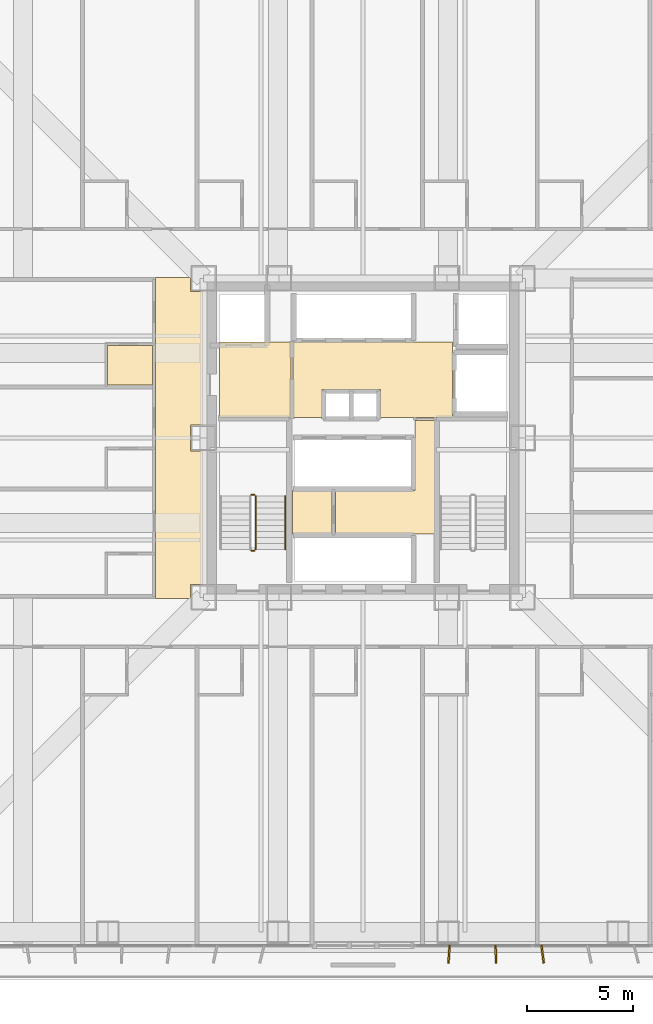
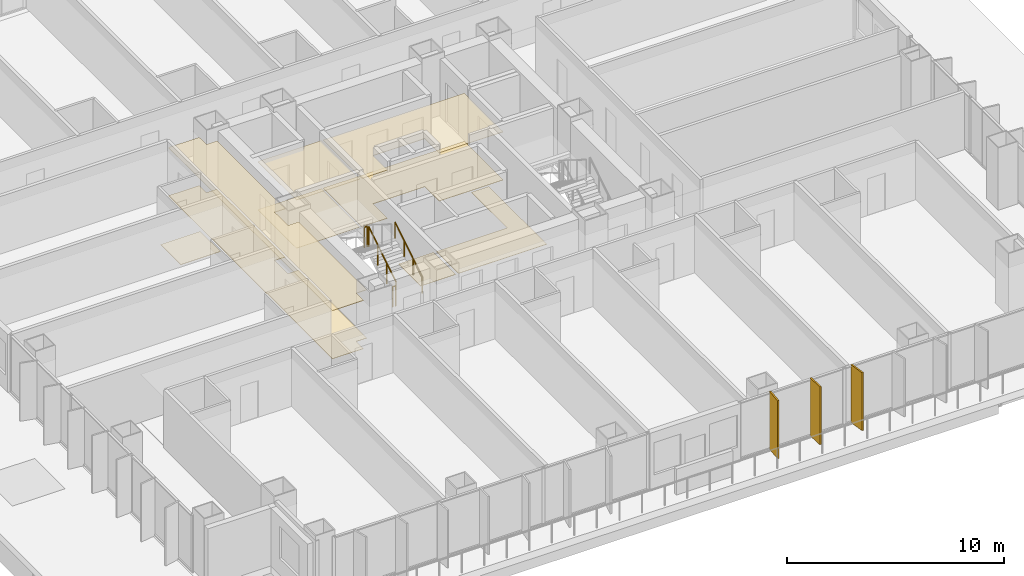
# One storey, part 21 of 24: 9 coverings, 4 railings, 3 shading devices.
"""IFC4 building model written with IfcOpenShell, lengths in metres."""

import ifcopenshell
import ifcopenshell.guid

model = None  # the IFC model being written
_history = None  # IfcOwnerHistory: only IFC2X3 demands one
_inside = {}  # id of a spatial element -> (the spatial element, [elements in it])
_under = {}  # id of a project, library or spatial element -> (it, [spatial elements below it])
_declared = {}  # id of a project -> (the project, [libraries it declares])
_typed = {}  # id of a type object -> (the type object, [elements of that type])
_made_of = {}  # id of a material, layer set ... -> (it, [elements and type objects made of it])


def new_model(schema):
    """Start an empty IFC model of exactly this schema.

    Asked for "IFC4X3", IfcOpenShell would pick the latest addendum, in which some entities
    have other attributes; the version numbers below select the first issue.
    IFC2X3 requires an IfcOwnerHistory on every rooted entity: one is made here for all.
    """
    global model, _history
    if schema == "IFC4X3":
        model = ifcopenshell.file(schema_version=(4, 3, 0, 0))
    else:
        model = ifcopenshell.file(schema=schema)
    _inside.clear()
    _under.clear()
    _declared.clear()
    _typed.clear()
    _made_of.clear()
    _history = None
    if model.schema == "IFC2X3":
        org = make("IfcOrganization", Name="unknown")
        user = make(
            "IfcPersonAndOrganization",
            ThePerson=make("IfcPerson", FamilyName="unknown"),
            TheOrganization=org,
        )
        app = make(
            "IfcApplication",
            ApplicationDeveloper=org,
            Version="unknown",
            ApplicationFullName="unknown",
            ApplicationIdentifier="unknown",
        )
        _history = make(
            "IfcOwnerHistory",
            OwningUser=user,
            OwningApplication=app,
            ChangeAction="ADDED",
            CreationDate=0,
        )
    return model


def make(cls, **values):
    """One entity of the class cls with the attributes given. An attribute that is None is left unset."""
    return model.create_entity(
        cls, **{name: value for name, value in values.items() if value is not None}
    )


def rooted(cls, **values):
    """An entity with a GlobalId (a new one), such as an element, a storey or a relation."""
    return make(cls, GlobalId=ifcopenshell.guid.new(), OwnerHistory=_history, **values)


def si_unit(unit_type, name, prefix=None):
    """IfcSIUnit, for example si_unit("LENGTHUNIT", "METRE", prefix="MILLI")."""
    return make("IfcSIUnit", UnitType=unit_type, Prefix=prefix, Name=name)


def assignment(units):
    """IfcUnitAssignment: the units of a project."""
    return None if units is None else make("IfcUnitAssignment", Units=units)


def point(xyz):
    """IfcCartesianPoint."""
    return None if xyz is None else make("IfcCartesianPoint", Coordinates=xyz)


def direction(xyz):
    """IfcDirection."""
    return None if xyz is None else make("IfcDirection", DirectionRatios=xyz)


def frame(location, z_axis=None, x_axis=None):
    """IfcAxis2Placement3D, a coordinate frame: its origin and axes. An axis left out is left unset."""
    return make(
        "IfcAxis2Placement3D",
        Location=point(location),
        Axis=direction(z_axis),
        RefDirection=direction(x_axis),
    )


def frame_2d(location, x_axis=None):
    """IfcAxis2Placement2D, a coordinate frame in the plane: its origin and x axis."""
    return make(
        "IfcAxis2Placement2D", Location=point(location), RefDirection=direction(x_axis)
    )


def origin():
    """The frame at (0, 0, 0) with its axes left unset."""
    return frame((0.0, 0.0, 0.0))


def origin_2d():
    """The frame at (0, 0) in the plane with its x axis left unset."""
    return frame_2d((0.0, 0.0))


def place(relative_to, where):
    """IfcLocalPlacement: puts the frame where relative to a parent placement (None: the world)."""
    return make(
        "IfcLocalPlacement", PlacementRelTo=relative_to, RelativePlacement=where
    )


def context(
    kind, dimensions, precision=None, world=None, true_north=None, identifier=None
):
    """IfcGeometricRepresentationContext, for example the 3D "Model" context."""
    return make(
        "IfcGeometricRepresentationContext",
        ContextIdentifier=identifier,
        ContextType=kind,
        CoordinateSpaceDimension=dimensions,
        Precision=precision,
        WorldCoordinateSystem=world,
        TrueNorth=true_north,
    )


def subcontext(parent, identifier, kind, view, scale=None):
    """IfcGeometricRepresentationSubContext, for example "Body" below "Model"."""
    return make(
        "IfcGeometricRepresentationSubContext",
        ContextIdentifier=identifier,
        ContextType=kind,
        ParentContext=parent,
        TargetScale=scale,
        TargetView=view,
    )


def project(units=None, contexts=None):
    """IfcProject with its units and contexts."""
    return rooted(
        "IfcProject",
        Name="project",
        RepresentationContexts=contexts,
        UnitsInContext=assignment(units),
    )


def spatial(cls, under=None, at=None, **own):
    """A site, building, storey or space (cls), placed at a placement, below another one or the project."""
    s = rooted(cls, ObjectPlacement=at, **own)
    if under is not None:
        _under.setdefault(under.id(), (under, []))[1].append(s)
    return s


def polyline(points):
    """IfcPolyline through the points."""
    return make("IfcPolyline", Points=[point(p) for p in points])


def profile(cls, at=None, kind="AREA", **sizes):
    """A parametric profile (cls). Its sizes go by their IFC names, for example OverallWidth=200.0."""
    return make(cls, ProfileType=kind, Position=at, **sizes)


def rectangle(**sizes):
    """IfcRectangleProfileDef."""
    return profile("IfcRectangleProfileDef", **sizes)


def circle(**sizes):
    """IfcCircleProfileDef."""
    return profile("IfcCircleProfileDef", **sizes)


def outline(outer, holes=None, kind="AREA"):
    """IfcArbitraryClosedProfileDef: a profile drawn as a closed curve; with holes, ...WithVoids."""
    if holes is None:
        return make("IfcArbitraryClosedProfileDef", ProfileType=kind, OuterCurve=outer)
    return make(
        "IfcArbitraryProfileDefWithVoids",
        ProfileType=kind,
        OuterCurve=outer,
        InnerCurves=holes,
    )


def extrude(swept, where, along, depth):
    """IfcExtrudedAreaSolid: the profile swept, set in the frame where, extruded along a direction by depth."""
    return make(
        "IfcExtrudedAreaSolid",
        SweptArea=swept,
        Position=where,
        ExtrudedDirection=direction(along),
        Depth=depth,
    )


def shape(context_of_items, identifier, shape_type, items):
    """IfcShapeRepresentation: the items that make up one representation, for example the "Body"."""
    return make(
        "IfcShapeRepresentation",
        ContextOfItems=context_of_items,
        RepresentationIdentifier=identifier,
        RepresentationType=shape_type,
        Items=items,
    )


def material(Name=None, Category=None):
    """IfcMaterial."""
    return make("IfcMaterial", Name=Name, Category=Category)


def layer(
    of_material, thickness, ventilated=None, Name=None, Category=None, Priority=None
):
    """IfcMaterialLayer: one layer of a wall or slab, of a material (None: an air gap)."""
    return make(
        "IfcMaterialLayer",
        Material=of_material,
        LayerThickness=thickness,
        IsVentilated=ventilated,
        Name=Name,
        Category=Category,
        Priority=Priority,
    )


def layer_set(layers, Name=None):
    """IfcMaterialLayerSet."""
    return make("IfcMaterialLayerSet", MaterialLayers=layers, LayerSetName=Name)


def made_of(thing, what):
    """Note that an element or type object is made of a material, layer set ...; save() writes the relation."""
    if what is not None:
        _made_of.setdefault(what.id(), (what, []))[1].append(thing)
    return thing


def type_object(cls, material=None, **own):
    """A type object (cls), such as IfcWallType, which elements share."""
    return made_of(rooted(cls, **own), material)


def element(
    cls,
    number,
    at=None,
    inside=None,
    cuts=None,
    type_object=None,
    material=None,
    context=None,
    identifier="Body",
    shape_type=None,
    held_by="IfcProductDefinitionShape",
    body=None,
    shapes=None,
    **own,
):
    """One element of the class cls, such as IfcWall. Its Tag is "e" and its number.

    at: its placement. inside: the storey or other place that contains it. cuts: it is an
    opening in that element (IfcRelVoidsElement). A single representation is given by context,
    identifier, shape_type and body (its items); several are given by shapes. held_by: the class
    of the entity that holds the representations. save() writes the other relations.
    """
    e = rooted(cls, Tag="e%d" % number, ObjectPlacement=at, **own)
    if body is not None:
        shapes = [shape(context, identifier, shape_type, body)]
    if shapes is not None:
        e.Representation = make(held_by, Representations=shapes)
    if inside is not None:
        _inside.setdefault(inside.id(), (inside, []))[1].append(e)
    if cuts is not None:
        rooted(
            "IfcRelVoidsElement", RelatingBuildingElement=cuts, RelatedOpeningElement=e
        )
    if type_object is not None:
        _typed.setdefault(type_object.id(), (type_object, []))[1].append(e)
    return made_of(e, material)


def aggregate(whole, parts):
    """IfcRelAggregates: a whole, such as a stair, and the parts it consists of."""
    return rooted("IfcRelAggregates", RelatingObject=whole, RelatedObjects=parts)


def save(model, path):
    """Write the relations noted so far, then the file.

    IfcRelAggregates (storeys below a building ...), IfcRelContainedInSpatialStructure (elements
    in a storey), IfcRelDefinesByType, IfcRelAssociatesMaterial and IfcRelDeclares: one each for
    every whole, place, type object, material and project.
    """
    for whole, parts in _under.values():
        aggregate(whole, parts)
    for where, things in _inside.values():
        rooted(
            "IfcRelContainedInSpatialStructure",
            RelatedElements=things,
            RelatingStructure=where,
        )
    for kind, things in _typed.values():
        rooted("IfcRelDefinesByType", RelatedObjects=things, RelatingType=kind)
    for what, things in _made_of.values():
        rooted("IfcRelAssociatesMaterial", RelatedObjects=things, RelatingMaterial=what)
    for by, libraries in _declared.values():
        rooted("IfcRelDeclares", RelatingContext=by, RelatedDefinitions=libraries)
    model.write(path)


model = new_model("IFC4")

# Units and contexts
model_context = context("Model", 3, precision=1e-05, world=origin(), true_north=direction((0.0, 1.0)))
body_context = subcontext(model_context, "Body", "Model", "MODEL_VIEW")
ifc_project = project(units=[si_unit("LENGTHUNIT", "METRE"), si_unit("AREAUNIT", "SQUARE_METRE"), si_unit("VOLUMEUNIT", "CUBIC_METRE"), si_unit("PLANEANGLEUNIT", "RADIAN"), si_unit("MASSUNIT", "GRAM", prefix="KILO")], contexts=[model_context])

# Site, building, storey
site_placement = place(None, origin())
site = spatial("IfcSite", under=ifc_project, at=site_placement, CompositionType="ELEMENT")
building_placement = place(site_placement, origin())
building = spatial("IfcBuilding", under=site, at=building_placement, Name="Trevonay Congress Spire", CompositionType="ELEMENT")
storey_placement = place(building_placement, frame((0.0, 0.0, 27.0)))
storey = spatial("IfcBuildingStorey", under=building, at=storey_placement, Name="L05", CompositionType="ELEMENT", Elevation=27.0)

# Coverings
ifc_material_1 = material(Name="Acoustic Mineral Fibre Board", Category="gypsum")
ifc_layer_1 = layer(ifc_material_1, 0.02490234375, Name="Acoustic Mineral Fibre Board")
ifc_layer_set_1 = layer_set([ifc_layer_1], Name="Acoustic Mineral Fibre Board")
covering_type_1 = type_object("IfcCoveringType", Name="COV-CEIL-ACOUSTIC", PredefinedType="CEILING", material=ifc_layer_set_1)
covering_1_placement = place(storey_placement, frame((0.0, 0.0, 2.699951171875)))
element("IfcCovering", 1, at=covering_1_placement, inside=storey, type_object=covering_type_1, Name="L05 Firefighting Lift Lobby West acoustic suspended ceiling", PredefinedType="CEILING", context=body_context, shape_type="SweptSolid", body=[
    extrude(outline(polyline([(-6.75, 0.9599609375), (-3.3798828125, 0.9599609375), (-3.3798828125, 4.52001953125), (-6.75, 4.52001953125), (-6.75, 0.9599609375)])), origin(), (0.0, 0.0, 1.0), 0.025146484375),
])
covering_2_placement = place(storey_placement, frame((0.0, 0.0, 2.699951171875)))
element("IfcCovering", 2, at=covering_2_placement, inside=storey, type_object=covering_type_1, Name="L05 Central and High-Rise Passenger Lift Lobby acoustic suspended ceiling", PredefinedType="CEILING", context=body_context, shape_type="SweptSolid", body=[
    extrude(outline(polyline([(-3.280029296875, 0.949951171875), (-1.919921875, 0.949951171875), (-1.919921875, 2.280029296875), (0.820068359375, 2.280029296875), (0.820068359375, 0.949951171875), (4.219970703125, 0.949951171875), (4.219970703125, 4.52001953125), (-3.280029296875, 4.52001953125), (-3.280029296875, 0.949951171875)])), origin(), (0.0, 0.0, 1.0), 0.025146484375),
])
covering_3_placement = place(storey_placement, frame((0.0, 0.0, 2.699951171875)))
element("IfcCovering", 3, at=covering_3_placement, inside=storey, type_object=covering_type_1, Name="L05 Hotel Floor Corridor West acoustic suspended ceiling", PredefinedType="CEILING", context=body_context, shape_type="SweptSolid", body=[
    extrude(outline(polyline([(-9.75, 7.550048828125), (-8.110107421875, 7.550048828125), (-8.110107421875, 6.889892578125), (-7.550048828125, 6.889892578125), (-7.550048828125, 0.610107421875), (-8.110107421875, 0.610107421875), (-8.110107421875, -0.610107421875), (-7.550048828125, -0.610107421875), (-7.550048828125, -6.889892578125), (-8.110107421875, -6.889892578125), (-8.110107421875, -7.550048828125), (-9.75, -7.550048828125), (-9.75, 7.550048828125)])), origin(), (0.0, 0.0, 1.0), 0.025146484375),
])
ifc_material_2 = material(Name="Polished Granite Floor Tile", Category="masonry")
ifc_layer_2 = layer(ifc_material_2, 0.02001953125, Name="Polished Granite Floor Tile")
ifc_layer_set_2 = layer_set([ifc_layer_2], Name="Polished Granite Floor Tile")
covering_type_2 = type_object("IfcCoveringType", Name="COV-FLOOR-STONE", PredefinedType="FLOORING", material=ifc_layer_set_2)
covering_4_placement = place(storey_placement, origin())
element("IfcCovering", 4, at=covering_4_placement, inside=storey, type_object=covering_type_2, Name="L05 Firefighting Lift Lobby West floor finish", PredefinedType="FLOORING", context=body_context, shape_type="SweptSolid", body=[
    extrude(outline(polyline([(-6.75, 0.9599609375), (-3.3798828125, 0.9599609375), (-3.3798828125, 4.52001953125), (-6.75, 4.52001953125), (-6.75, 0.9599609375)])), origin(), (0.0, 0.0, 1.0), 0.02001953125),
])
covering_5_placement = place(storey_placement, origin())
element("IfcCovering", 5, at=covering_5_placement, inside=storey, type_object=covering_type_2, Name="L05 Central and High-Rise Passenger Lift Lobby floor finish", PredefinedType="FLOORING", context=body_context, shape_type="SweptSolid", body=[
    extrude(outline(polyline([(-3.280029296875, 0.949951171875), (-1.919921875, 0.949951171875), (-1.919921875, 2.280029296875), (0.820068359375, 2.280029296875), (0.820068359375, 0.949951171875), (4.219970703125, 0.949951171875), (4.219970703125, 4.52001953125), (-3.280029296875, 4.52001953125), (-3.280029296875, 0.949951171875)])), origin(), (0.0, 0.0, 1.0), 0.02001953125),
])
covering_6_placement = place(storey_placement, origin())
element("IfcCovering", 6, at=covering_6_placement, inside=storey, type_object=covering_type_2, Name="L05 Smoke Control Damper Room floor finish", PredefinedType="FLOORING", context=body_context, shape_type="SweptSolid", body=[
    extrude(outline(polyline([(-1.300048828125, -4.52001953125), (3.3798828125, -4.52001953125), (3.3798828125, 0.820068359375), (2.4599609375, 0.820068359375), (2.4599609375, -2.47998046875), (-1.300048828125, -2.47998046875), (-1.300048828125, -4.52001953125)])), origin(), (0.0, 0.0, 1.0), 0.02001953125),
])
covering_7_placement = place(storey_placement, origin())
element("IfcCovering", 7, at=covering_7_placement, inside=storey, type_object=covering_type_2, Name="L05 Fire Hose and Valve Room floor finish", PredefinedType="FLOORING", context=body_context, shape_type="SweptSolid", body=[
    extrude(outline(polyline([(-3.320068359375, -4.52001953125), (-1.4599609375, -4.52001953125), (-1.4599609375, -2.47998046875), (-3.320068359375, -2.47998046875), (-3.320068359375, -4.52001953125)])), origin(), (0.0, 0.0, 1.0), 0.02001953125),
])
covering_8_placement = place(storey_placement, origin())
element("IfcCovering", 8, at=covering_8_placement, inside=storey, type_object=covering_type_2, Name="L05 Hotel Floor Corridor West floor finish", PredefinedType="FLOORING", context=body_context, shape_type="SweptSolid", body=[
    extrude(outline(polyline([(-9.75, 7.550048828125), (-8.110107421875, 7.550048828125), (-8.110107421875, 6.889892578125), (-7.550048828125, 6.889892578125), (-7.550048828125, 0.610107421875), (-8.110107421875, 0.610107421875), (-8.110107421875, -0.610107421875), (-7.550048828125, -0.610107421875), (-7.550048828125, -6.889892578125), (-8.110107421875, -6.889892578125), (-8.110107421875, -7.550048828125), (-9.75, -7.550048828125), (-9.75, 7.550048828125)])), origin(), (0.0, 0.0, 1.0), 0.02001953125),
])
covering_9_placement = place(storey_placement, origin())
element("IfcCovering", 9, at=covering_9_placement, inside=storey, type_object=covering_type_2, Name="L05 En-suite Bathroom floor finish", PredefinedType="FLOORING", context=body_context, shape_type="SweptSolid", body=[
    extrude(outline(polyline([(-12.02001953125, 2.47998046875), (-9.909912109375, 2.47998046875), (-9.909912109375, 4.337890625), (-12.02001953125, 4.337890625), (-12.02001953125, 2.47998046875)])), origin(), (0.0, 0.0, 1.0), 0.02001953125),
])

# Railings
ifc_material_3 = material(Name="Pale Anodised Aluminium EN AW-6063-T6", Category="aluminium")
railing_type_1 = type_object("IfcRailingType", Name="RAL-STAIR-GUARD-110", PredefinedType="GUARDRAIL", material=ifc_material_3)
railing_1_placement = place(storey_placement, frame((-5.050048828125, -5.25, 0.175048828125)))
element("IfcRailing", 10, at=railing_1_placement, inside=storey, type_object=railing_type_1, Name="L05 ST-1 stair guard 1", PredefinedType="GUARDRAIL", context=body_context, shape_type="SweptSolid", body=[
    extrude(circle(Radius=0.02392578125, at=origin_2d()), frame((0.0, 0.0, 1.1259765625), z_axis=(0.0, 0.848007534815, 0.529984170421), x_axis=(-1.0, 0.0, 0.0)), (0.0, 0.0, 1.0), 2.9716796875),
    extrude(circle(Radius=0.02099609375, at=origin_2d()), origin(), (0.0, 0.0, 1.0), 1.101806640625),
    extrude(circle(Radius=0.02099609375, at=origin_2d()), frame((0.0, 0.840087890625, 0.52490234375)), (0.0, 0.0, 1.0), 1.101806640625),
    extrude(circle(Radius=0.02099609375, at=origin_2d()), frame((0.0, 1.679931640625, 1.050048828125)), (0.0, 0.0, 1.0), 1.101806640625),
    extrude(circle(Radius=0.02099609375, at=origin_2d()), frame((0.0, 2.52001953125, 1.574951171875)), (0.0, 0.0, 1.0), 1.101806640625),
])
for number, where, name in (
    (11, (-5.10009765625, -2.679931640625, 1.75), "L05 ST-1 stair guard 2"),
    (12, (-5.10009765625, -5.300048828125, 0.0), "L05 ST-1 stair guard 4"),
):
    element("IfcRailing", number, at=place(storey_placement, frame(where)), inside=storey, type_object=railing_type_1, Name=name, PredefinedType="GUARDRAIL", context=body_context, shape_type="SweptSolid", body=[
        extrude(circle(Radius=0.02392578125, at=origin_2d()), frame((0.0, 0.0, 1.1259765625), z_axis=(-1.0, 0.0, 0.0), x_axis=(0.0, -1.0, 0.0)), (0.0, 0.0, 1.0), 0.14990234375),
        extrude(circle(Radius=0.02099609375, at=origin_2d()), origin(), (0.0, 0.0, 1.0), 1.101806640625),
        extrude(circle(Radius=0.02099609375, at=origin_2d()), frame((-0.14990234375, 0.0, 0.0)), (0.0, 0.0, 1.0), 1.101806640625),
    ])
railing_type_2 = type_object("IfcRailingType", Name="RAL-STAIR-HANDRAIL", PredefinedType="HANDRAIL", material=ifc_material_3)
railing_2_placement = place(storey_placement, frame((-3.64990234375, -5.25, 0.175048828125)))
element("IfcRailing", 13, at=railing_2_placement, inside=storey, type_object=railing_type_2, Name="L05 ST-1 stair handrail 1", PredefinedType="HANDRAIL", context=body_context, shape_type="SweptSolid", body=[
    extrude(circle(Radius=0.02392578125, at=origin_2d()), frame((0.0, 0.0, 0.8759765625), z_axis=(0.0, 0.848007534815, 0.529984170421), x_axis=(-1.0, 0.0, 0.0)), (0.0, 0.0, 1.0), 2.9716796875),
    extrude(circle(Radius=0.02099609375, at=origin_2d()), origin(), (0.0, 0.0, 1.0), 0.851806640625),
    extrude(circle(Radius=0.02099609375, at=origin_2d()), frame((0.0, 0.840087890625, 0.52490234375)), (0.0, 0.0, 1.0), 0.851806640625),
    extrude(circle(Radius=0.02099609375, at=origin_2d()), frame((0.0, 1.679931640625, 1.050048828125)), (0.0, 0.0, 1.0), 0.851806640625),
    extrude(circle(Radius=0.02099609375, at=origin_2d()), frame((0.0, 2.52001953125, 1.574951171875)), (0.0, 0.0, 1.0), 0.851806640625),
])

# Shading devices
shading_device_type = type_object("IfcShadingDeviceType", Name="SHD-FIN-Z1-PALE-METAL", PredefinedType="USERDEFINED", material=ifc_material_3)
for number, where, z_axis, x_axis, name in (
    (14, (4.050048828125, -24.280029296875, 0.0), (0.0, 0.0, 1.0), (0.997707959868, -0.067667029017, 0.0), "L05 S vertical pale-metal solar fin 11"),
    (15, (6.25, -24.280029296875, 0.0), (0.0, 0.0, 1.0), (0.999414947917, 0.034201781837, 0.0), "L05 S vertical pale-metal solar fin 12"),
    (16, (8.449951171875, -24.280029296875, 0.0), (0.0, 0.0, 1.0), (0.991444861374, 0.13052619222, 0.0), "L05 S vertical pale-metal solar fin 13"),
):
    element("IfcShadingDevice", number, at=place(storey_placement, frame(where, z_axis=z_axis, x_axis=x_axis)), inside=storey, type_object=shading_device_type, Name=name, ObjectType="SOLAR FIN", PredefinedType="USERDEFINED", context=body_context, shape_type="SweptSolid", body=[
        extrude(rectangle(XDim=0.080078125, YDim=0.85009765625, at=origin_2d()), origin(), (0.0, 0.0, 1.0), 3.25),
    ])

save(model, "model.ifc")
